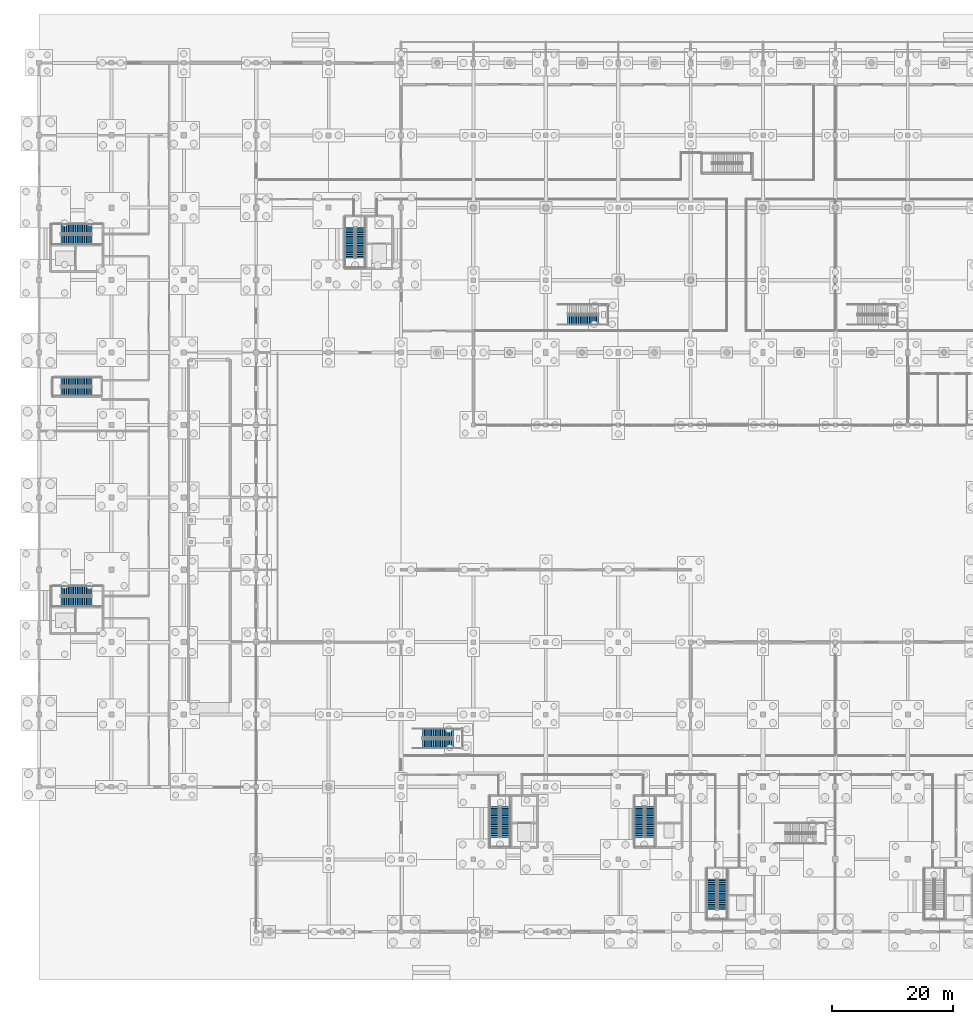
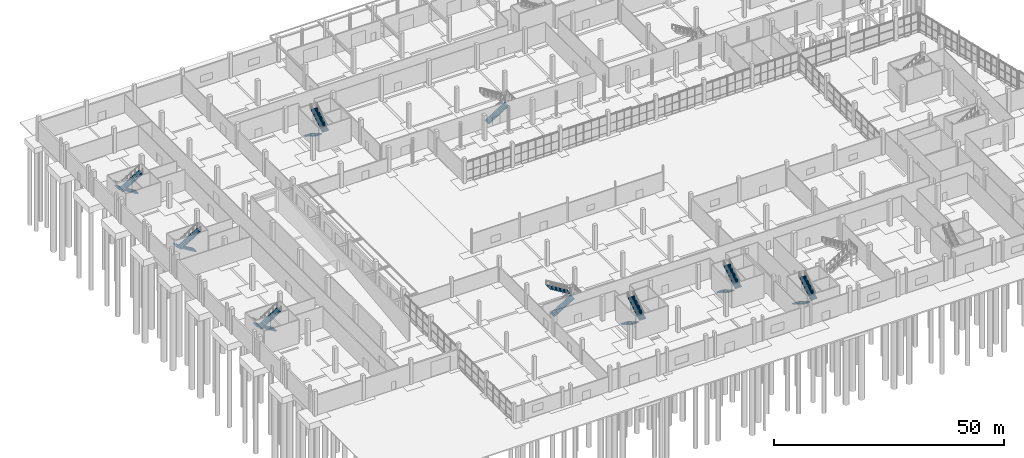
# One storey, part 97 of 117: 17 stair flights, 9 elements without a shape of their own.
"""IFC4 building model written with IfcOpenShell, lengths in metres."""

from ifc_helpers import new_model, si_unit, direction, frame, origin, place, context, subcontext, project, spatial, polyline, outline, extrude, material, layer, layer_set, type_object, element, aggregate, save


model = new_model("IFC4")

# Units and contexts
model_context = context("Model", 3, precision=1e-05, world=origin(), true_north=direction((0.0, 1.0)))
body_context = subcontext(model_context, "Body", "Model", "MODEL_VIEW")
ifc_project = project(units=[si_unit("LENGTHUNIT", "METRE"), si_unit("AREAUNIT", "SQUARE_METRE"), si_unit("VOLUMEUNIT", "CUBIC_METRE"), si_unit("PLANEANGLEUNIT", "RADIAN"), si_unit("MASSUNIT", "GRAM", prefix="KILO")], contexts=[model_context])

# Site, building, storey
site_placement = place(None, origin())
site = spatial("IfcSite", under=ifc_project, at=site_placement, CompositionType="ELEMENT")
building_placement = place(site_placement, origin())
building = spatial("IfcBuilding", under=site, at=building_placement, Name="Kamomehara Wholesale Market", CompositionType="ELEMENT")
storey_placement = place(building_placement, origin())
storey = spatial("IfcBuildingStorey", under=building, at=storey_placement, Name="L00", CompositionType="ELEMENT", Elevation=0.0)

# Stair, stair flights
ifc_material_1 = material(Name="Concrete Fc36 (C35/45)", Category="concrete")
stair_type_1 = type_object("IfcStairType", Name="STR-DL-02", PredefinedType="HALF_TURN_STAIR", material=ifc_material_1)
stair_1_placement = place(storey_placement, origin())
stair_1 = element("IfcStair", 1, at=stair_1_placement, inside=storey, type_object=stair_type_1, Name="L00 Core exit stair ST-01", PredefinedType="HALF_TURN_STAIR")
ifc_material_2 = material(Name="Concrete Fc36 (C35/45)", Category="concrete")
ifc_layer_1 = layer(ifc_material_2, 0.199951171875)
ifc_layer_set_1 = layer_set([ifc_layer_1], Name="Concrete Fc36 (C35/45)")
stair_flight_type_1 = type_object("IfcStairFlightType", Name="SFL-01", PredefinedType="STRAIGHT", material=ifc_layer_set_1)
stair_flight_1_placement = place(storey_placement, frame((51.5, 128.75, 0.0), z_axis=(0.0, 0.0, 1.0), x_axis=(0.0, -1.0, 0.0)))
stair_flight_1 = element("IfcStairFlight", 2, at=stair_flight_1_placement, type_object=stair_flight_type_1, Name="ST-01 flight 1", NumberOfRisers=18, NumberOfTreads=17, PredefinedType="STRAIGHT", RiserHeight=0.183333333, TreadLength=0.3, context=body_context, shape_type="SweptSolid", body=[
    extrude(outline(polyline([(0.0, 0.0), (0.0, 0.183349609375), (0.300048828125, 0.183349609375), (0.300048828125, 0.36669921875), (0.60009765625, 0.36669921875), (0.60009765625, 0.550048828125), (0.89990234375, 0.550048828125), (0.89990234375, 0.7333984375), (1.199951171875, 0.7333984375), (1.199951171875, 0.916748046875), (1.5, 0.916748046875), (1.5, 1.10009765625), (1.800048828125, 1.10009765625), (1.800048828125, 1.283447265625), (2.10009765625, 1.283447265625), (2.10009765625, 1.466552734375), (2.39990234375, 1.466552734375), (2.39990234375, 1.64990234375), (2.699951171875, 1.64990234375), (2.699951171875, 1.833251953125), (3.0, 1.833251953125), (3.0, 2.0166015625), (3.300048828125, 2.0166015625), (3.300048828125, 2.199951171875), (3.60009765625, 2.199951171875), (3.60009765625, 2.38330078125), (3.89990234375, 2.38330078125), (3.89990234375, 2.566650390625), (4.199951171875, 2.566650390625), (4.199951171875, 2.75), (4.5, 2.75), (4.5, 2.933349609375), (4.800048828125, 2.933349609375), (4.800048828125, 3.11669921875), (5.10009765625, 3.11669921875), (5.10009765625, 3.300048828125), (5.10009765625, 2.88232421875), (0.383544921875, 0.0), (0.0, 0.0)])), frame((0.0, 0.800048828125, 0.0), z_axis=(0.0, -1.0, 0.0), x_axis=(1.0, 0.0, 0.0)), (0.0, 0.0, 1.0), 1.60009765625),
])
stair_flight_2_placement = place(storey_placement, frame((53.300048828125, 123.64990234375, 3.300048828125), z_axis=(0.0, 0.0, 1.0), x_axis=(0.0, 1.0, 0.0)))
stair_flight_2 = element("IfcStairFlight", 3, at=stair_flight_2_placement, type_object=stair_flight_type_1, Name="ST-01 flight 2", NumberOfRisers=18, NumberOfTreads=17, PredefinedType="STRAIGHT", RiserHeight=0.183333333, TreadLength=0.3, context=body_context, shape_type="SweptSolid", body=[
    extrude(outline(polyline([(0.0, 0.0), (0.0, 0.183349609375), (0.300048828125, 0.183349609375), (0.300048828125, 0.36669921875), (0.60009765625, 0.36669921875), (0.60009765625, 0.550048828125), (0.89990234375, 0.550048828125), (0.89990234375, 0.7333984375), (1.199951171875, 0.7333984375), (1.199951171875, 0.916748046875), (1.5, 0.916748046875), (1.5, 1.10009765625), (1.800048828125, 1.10009765625), (1.800048828125, 1.283447265625), (2.10009765625, 1.283447265625), (2.10009765625, 1.466552734375), (2.39990234375, 1.466552734375), (2.39990234375, 1.64990234375), (2.699951171875, 1.64990234375), (2.699951171875, 1.833251953125), (3.0, 1.833251953125), (3.0, 2.0166015625), (3.300048828125, 2.0166015625), (3.300048828125, 2.199951171875), (3.60009765625, 2.199951171875), (3.60009765625, 2.38330078125), (3.89990234375, 2.38330078125), (3.89990234375, 2.566650390625), (4.199951171875, 2.566650390625), (4.199951171875, 2.75), (4.5, 2.75), (4.5, 2.933349609375), (4.800048828125, 2.933349609375), (4.800048828125, 3.11669921875), (5.10009765625, 3.11669921875), (5.10009765625, 3.300048828125), (5.10009765625, 2.88232421875), (0.383544921875, 0.0), (0.0, 0.0)])), frame((0.0, 0.800048828125, 0.0), z_axis=(0.0, -1.0, 0.0), x_axis=(1.0, 0.0, 0.0)), (0.0, 0.0, 1.0), 1.60009765625),
])
aggregate(stair_1, [stair_flight_1, stair_flight_2])

stair_2_placement = place(storey_placement, origin())
stair_2 = element("IfcStair", 4, at=stair_2_placement, inside=storey, type_object=stair_type_1, Name="L00 Core exit stair ST-03", PredefinedType="HALF_TURN_STAIR")
stair_flight_3_placement = place(storey_placement, frame((8.75, 68.5, 0.0), z_axis=(0.0, 0.0, 1.0), x_axis=(-1.0, 0.0, 0.0)))
stair_flight_3 = element("IfcStairFlight", 5, at=stair_flight_3_placement, type_object=stair_flight_type_1, Name="ST-03 flight 1", NumberOfRisers=18, NumberOfTreads=17, PredefinedType="STRAIGHT", RiserHeight=0.183333333, TreadLength=0.3, context=body_context, shape_type="SweptSolid", body=[
    extrude(outline(polyline([(0.0, 0.0), (0.0, 0.183349609375), (0.300048828125, 0.183349609375), (0.300048828125, 0.36669921875), (0.60009765625, 0.36669921875), (0.60009765625, 0.550048828125), (0.89990234375, 0.550048828125), (0.89990234375, 0.7333984375), (1.199951171875, 0.7333984375), (1.199951171875, 0.916748046875), (1.5, 0.916748046875), (1.5, 1.10009765625), (1.800048828125, 1.10009765625), (1.800048828125, 1.283447265625), (2.10009765625, 1.283447265625), (2.10009765625, 1.466552734375), (2.39990234375, 1.466552734375), (2.39990234375, 1.64990234375), (2.699951171875, 1.64990234375), (2.699951171875, 1.833251953125), (3.0, 1.833251953125), (3.0, 2.0166015625), (3.300048828125, 2.0166015625), (3.300048828125, 2.199951171875), (3.60009765625, 2.199951171875), (3.60009765625, 2.38330078125), (3.89990234375, 2.38330078125), (3.89990234375, 2.566650390625), (4.199951171875, 2.566650390625), (4.199951171875, 2.75), (4.5, 2.75), (4.5, 2.933349609375), (4.800048828125, 2.933349609375), (4.800048828125, 3.11669921875), (5.10009765625, 3.11669921875), (5.10009765625, 3.300048828125), (5.10009765625, 2.88232421875), (0.383544921875, 0.0), (0.0, 0.0)])), frame((0.0, 0.800048828125, 0.0), z_axis=(0.0, -1.0, 0.0), x_axis=(1.0, 0.0, 0.0)), (0.0, 0.0, 1.0), 1.60009765625),
])
stair_flight_4_placement = place(storey_placement, frame((3.64990234375, 66.699951171875, 3.300048828125), z_axis=(0.0, 0.0, 1.0), x_axis=(1.0, 0.0, 0.0)))
stair_flight_4 = element("IfcStairFlight", 6, at=stair_flight_4_placement, type_object=stair_flight_type_1, Name="ST-03 flight 2", NumberOfRisers=18, NumberOfTreads=17, PredefinedType="STRAIGHT", RiserHeight=0.183333333, TreadLength=0.3, context=body_context, shape_type="SweptSolid", body=[
    extrude(outline(polyline([(0.0, 0.0), (0.0, 0.183349609375), (0.300048828125, 0.183349609375), (0.300048828125, 0.36669921875), (0.60009765625, 0.36669921875), (0.60009765625, 0.550048828125), (0.89990234375, 0.550048828125), (0.89990234375, 0.7333984375), (1.199951171875, 0.7333984375), (1.199951171875, 0.916748046875), (1.5, 0.916748046875), (1.5, 1.10009765625), (1.800048828125, 1.10009765625), (1.800048828125, 1.283447265625), (2.10009765625, 1.283447265625), (2.10009765625, 1.466552734375), (2.39990234375, 1.466552734375), (2.39990234375, 1.64990234375), (2.699951171875, 1.64990234375), (2.699951171875, 1.833251953125), (3.0, 1.833251953125), (3.0, 2.0166015625), (3.300048828125, 2.0166015625), (3.300048828125, 2.199951171875), (3.60009765625, 2.199951171875), (3.60009765625, 2.38330078125), (3.89990234375, 2.38330078125), (3.89990234375, 2.566650390625), (4.199951171875, 2.566650390625), (4.199951171875, 2.75), (4.5, 2.75), (4.5, 2.933349609375), (4.800048828125, 2.933349609375), (4.800048828125, 3.11669921875), (5.10009765625, 3.11669921875), (5.10009765625, 3.300048828125), (5.10009765625, 2.88232421875), (0.383544921875, 0.0), (0.0, 0.0)])), frame((0.0, 0.800048828125, 0.0), z_axis=(0.0, -1.0, 0.0), x_axis=(1.0, 0.0, 0.0)), (0.0, 0.0, 1.0), 1.60009765625),
])
aggregate(stair_2, [stair_flight_3, stair_flight_4])

stair_3_placement = place(storey_placement, origin())
stair_3 = element("IfcStair", 7, at=stair_3_placement, inside=storey, type_object=stair_type_1, Name="L00 Core exit stair ST-04", PredefinedType="HALF_TURN_STAIR")
stair_flight_5_placement = place(storey_placement, frame((8.75, 128.5, 0.0), z_axis=(0.0, 0.0, 1.0), x_axis=(-1.0, 0.0, 0.0)))
stair_flight_5 = element("IfcStairFlight", 8, at=stair_flight_5_placement, type_object=stair_flight_type_1, Name="ST-04 flight 1", NumberOfRisers=18, NumberOfTreads=17, PredefinedType="STRAIGHT", RiserHeight=0.183333333, TreadLength=0.3, context=body_context, shape_type="SweptSolid", body=[
    extrude(outline(polyline([(0.0, 0.0), (0.0, 0.183349609375), (0.300048828125, 0.183349609375), (0.300048828125, 0.36669921875), (0.60009765625, 0.36669921875), (0.60009765625, 0.550048828125), (0.89990234375, 0.550048828125), (0.89990234375, 0.7333984375), (1.199951171875, 0.7333984375), (1.199951171875, 0.916748046875), (1.5, 0.916748046875), (1.5, 1.10009765625), (1.800048828125, 1.10009765625), (1.800048828125, 1.283447265625), (2.10009765625, 1.283447265625), (2.10009765625, 1.466552734375), (2.39990234375, 1.466552734375), (2.39990234375, 1.64990234375), (2.699951171875, 1.64990234375), (2.699951171875, 1.833251953125), (3.0, 1.833251953125), (3.0, 2.0166015625), (3.300048828125, 2.0166015625), (3.300048828125, 2.199951171875), (3.60009765625, 2.199951171875), (3.60009765625, 2.38330078125), (3.89990234375, 2.38330078125), (3.89990234375, 2.566650390625), (4.199951171875, 2.566650390625), (4.199951171875, 2.75), (4.5, 2.75), (4.5, 2.933349609375), (4.800048828125, 2.933349609375), (4.800048828125, 3.11669921875), (5.10009765625, 3.11669921875), (5.10009765625, 3.300048828125), (5.10009765625, 2.88232421875), (0.383544921875, 0.0), (0.0, 0.0)])), frame((0.0, 0.800048828125, 0.0), z_axis=(0.0, -1.0, 0.0), x_axis=(1.0, 0.0, 0.0)), (0.0, 0.0, 1.0), 1.60009765625),
])
stair_flight_6_placement = place(storey_placement, frame((3.64990234375, 126.699951171875, 3.300048828125), z_axis=(0.0, 0.0, 1.0), x_axis=(1.0, 0.0, 0.0)))
stair_flight_6 = element("IfcStairFlight", 9, at=stair_flight_6_placement, type_object=stair_flight_type_1, Name="ST-04 flight 2", NumberOfRisers=18, NumberOfTreads=17, PredefinedType="STRAIGHT", RiserHeight=0.183333333, TreadLength=0.3, context=body_context, shape_type="SweptSolid", body=[
    extrude(outline(polyline([(0.0, 0.0), (0.0, 0.183349609375), (0.300048828125, 0.183349609375), (0.300048828125, 0.36669921875), (0.60009765625, 0.36669921875), (0.60009765625, 0.550048828125), (0.89990234375, 0.550048828125), (0.89990234375, 0.7333984375), (1.199951171875, 0.7333984375), (1.199951171875, 0.916748046875), (1.5, 0.916748046875), (1.5, 1.10009765625), (1.800048828125, 1.10009765625), (1.800048828125, 1.283447265625), (2.10009765625, 1.283447265625), (2.10009765625, 1.466552734375), (2.39990234375, 1.466552734375), (2.39990234375, 1.64990234375), (2.699951171875, 1.64990234375), (2.699951171875, 1.833251953125), (3.0, 1.833251953125), (3.0, 2.0166015625), (3.300048828125, 2.0166015625), (3.300048828125, 2.199951171875), (3.60009765625, 2.199951171875), (3.60009765625, 2.38330078125), (3.89990234375, 2.38330078125), (3.89990234375, 2.566650390625), (4.199951171875, 2.566650390625), (4.199951171875, 2.75), (4.5, 2.75), (4.5, 2.933349609375), (4.800048828125, 2.933349609375), (4.800048828125, 3.11669921875), (5.10009765625, 3.11669921875), (5.10009765625, 3.300048828125), (5.10009765625, 2.88232421875), (0.383544921875, 0.0), (0.0, 0.0)])), frame((0.0, 0.800048828125, 0.0), z_axis=(0.0, -1.0, 0.0), x_axis=(1.0, 0.0, 0.0)), (0.0, 0.0, 1.0), 1.60009765625),
])
aggregate(stair_3, [stair_flight_5, stair_flight_6])

stair_4_placement = place(storey_placement, origin())
stair_4 = element("IfcStair", 10, at=stair_4_placement, inside=storey, type_object=stair_type_1, Name="L00 Core exit stair ST-05", PredefinedType="HALF_TURN_STAIR")
stair_flight_7_placement = place(storey_placement, frame((75.5, 32.75, 0.0), z_axis=(0.0, 0.0, 1.0), x_axis=(0.0, -1.0, 0.0)))
stair_flight_7 = element("IfcStairFlight", 11, at=stair_flight_7_placement, type_object=stair_flight_type_1, Name="ST-05 flight 1", NumberOfRisers=18, NumberOfTreads=17, PredefinedType="STRAIGHT", RiserHeight=0.183333333, TreadLength=0.3, context=body_context, shape_type="SweptSolid", body=[
    extrude(outline(polyline([(0.0, 0.0), (0.0, 0.183349609375), (0.300048828125, 0.183349609375), (0.300048828125, 0.36669921875), (0.60009765625, 0.36669921875), (0.60009765625, 0.550048828125), (0.89990234375, 0.550048828125), (0.89990234375, 0.7333984375), (1.199951171875, 0.7333984375), (1.199951171875, 0.916748046875), (1.5, 0.916748046875), (1.5, 1.10009765625), (1.800048828125, 1.10009765625), (1.800048828125, 1.283447265625), (2.10009765625, 1.283447265625), (2.10009765625, 1.466552734375), (2.39990234375, 1.466552734375), (2.39990234375, 1.64990234375), (2.699951171875, 1.64990234375), (2.699951171875, 1.833251953125), (3.0, 1.833251953125), (3.0, 2.0166015625), (3.300048828125, 2.0166015625), (3.300048828125, 2.199951171875), (3.60009765625, 2.199951171875), (3.60009765625, 2.38330078125), (3.89990234375, 2.38330078125), (3.89990234375, 2.566650390625), (4.199951171875, 2.566650390625), (4.199951171875, 2.75), (4.5, 2.75), (4.5, 2.933349609375), (4.800048828125, 2.933349609375), (4.800048828125, 3.11669921875), (5.10009765625, 3.11669921875), (5.10009765625, 3.300048828125), (5.10009765625, 2.88232421875), (0.383544921875, 0.0), (0.0, 0.0)])), frame((0.0, 0.800048828125, 0.0), z_axis=(0.0, -1.0, 0.0), x_axis=(1.0, 0.0, 0.0)), (0.0, 0.0, 1.0), 1.60009765625),
])
stair_flight_8_placement = place(storey_placement, frame((77.300048828125, 27.64990234375, 3.300048828125), z_axis=(0.0, 0.0, 1.0), x_axis=(0.0, 1.0, 0.0)))
stair_flight_8 = element("IfcStairFlight", 12, at=stair_flight_8_placement, type_object=stair_flight_type_1, Name="ST-05 flight 2", NumberOfRisers=18, NumberOfTreads=17, PredefinedType="STRAIGHT", RiserHeight=0.183333333, TreadLength=0.3, context=body_context, shape_type="SweptSolid", body=[
    extrude(outline(polyline([(0.0, 0.0), (0.0, 0.183349609375), (0.300048828125, 0.183349609375), (0.300048828125, 0.36669921875), (0.60009765625, 0.36669921875), (0.60009765625, 0.550048828125), (0.89990234375, 0.550048828125), (0.89990234375, 0.7333984375), (1.199951171875, 0.7333984375), (1.199951171875, 0.916748046875), (1.5, 0.916748046875), (1.5, 1.10009765625), (1.800048828125, 1.10009765625), (1.800048828125, 1.283447265625), (2.10009765625, 1.283447265625), (2.10009765625, 1.466552734375), (2.39990234375, 1.466552734375), (2.39990234375, 1.64990234375), (2.699951171875, 1.64990234375), (2.699951171875, 1.833251953125), (3.0, 1.833251953125), (3.0, 2.0166015625), (3.300048828125, 2.0166015625), (3.300048828125, 2.199951171875), (3.60009765625, 2.199951171875), (3.60009765625, 2.38330078125), (3.89990234375, 2.38330078125), (3.89990234375, 2.566650390625), (4.199951171875, 2.566650390625), (4.199951171875, 2.75), (4.5, 2.75), (4.5, 2.933349609375), (4.800048828125, 2.933349609375), (4.800048828125, 3.11669921875), (5.10009765625, 3.11669921875), (5.10009765625, 3.300048828125), (5.10009765625, 2.88232421875), (0.383544921875, 0.0), (0.0, 0.0)])), frame((0.0, 0.800048828125, 0.0), z_axis=(0.0, -1.0, 0.0), x_axis=(1.0, 0.0, 0.0)), (0.0, 0.0, 1.0), 1.60009765625),
])
aggregate(stair_4, [stair_flight_7, stair_flight_8])

stair_5_placement = place(storey_placement, origin())
stair_5 = element("IfcStair", 13, at=stair_5_placement, inside=storey, type_object=stair_type_1, Name="L00 Core exit stair ST-06", PredefinedType="HALF_TURN_STAIR")
stair_flight_9_placement = place(storey_placement, frame((99.5, 32.75, 0.0), z_axis=(0.0, 0.0, 1.0), x_axis=(0.0, -1.0, 0.0)))
stair_flight_9 = element("IfcStairFlight", 14, at=stair_flight_9_placement, type_object=stair_flight_type_1, Name="ST-06 flight 1", NumberOfRisers=18, NumberOfTreads=17, PredefinedType="STRAIGHT", RiserHeight=0.183333333, TreadLength=0.3, context=body_context, shape_type="SweptSolid", body=[
    extrude(outline(polyline([(0.0, 0.0), (0.0, 0.183349609375), (0.300048828125, 0.183349609375), (0.300048828125, 0.36669921875), (0.60009765625, 0.36669921875), (0.60009765625, 0.550048828125), (0.89990234375, 0.550048828125), (0.89990234375, 0.7333984375), (1.199951171875, 0.7333984375), (1.199951171875, 0.916748046875), (1.5, 0.916748046875), (1.5, 1.10009765625), (1.800048828125, 1.10009765625), (1.800048828125, 1.283447265625), (2.10009765625, 1.283447265625), (2.10009765625, 1.466552734375), (2.39990234375, 1.466552734375), (2.39990234375, 1.64990234375), (2.699951171875, 1.64990234375), (2.699951171875, 1.833251953125), (3.0, 1.833251953125), (3.0, 2.0166015625), (3.300048828125, 2.0166015625), (3.300048828125, 2.199951171875), (3.60009765625, 2.199951171875), (3.60009765625, 2.38330078125), (3.89990234375, 2.38330078125), (3.89990234375, 2.566650390625), (4.199951171875, 2.566650390625), (4.199951171875, 2.75), (4.5, 2.75), (4.5, 2.933349609375), (4.800048828125, 2.933349609375), (4.800048828125, 3.11669921875), (5.10009765625, 3.11669921875), (5.10009765625, 3.300048828125), (5.10009765625, 2.88232421875), (0.383544921875, 0.0), (0.0, 0.0)])), frame((0.0, 0.800048828125, 0.0), z_axis=(0.0, -1.0, 0.0), x_axis=(1.0, 0.0, 0.0)), (0.0, 0.0, 1.0), 1.60009765625),
])
stair_flight_10_placement = place(storey_placement, frame((101.300048828125, 27.64990234375, 3.300048828125), z_axis=(0.0, 0.0, 1.0), x_axis=(0.0, 1.0, 0.0)))
stair_flight_10 = element("IfcStairFlight", 15, at=stair_flight_10_placement, type_object=stair_flight_type_1, Name="ST-06 flight 2", NumberOfRisers=18, NumberOfTreads=17, PredefinedType="STRAIGHT", RiserHeight=0.183333333, TreadLength=0.3, context=body_context, shape_type="SweptSolid", body=[
    extrude(outline(polyline([(0.0, 0.0), (0.0, 0.183349609375), (0.300048828125, 0.183349609375), (0.300048828125, 0.36669921875), (0.60009765625, 0.36669921875), (0.60009765625, 0.550048828125), (0.89990234375, 0.550048828125), (0.89990234375, 0.7333984375), (1.199951171875, 0.7333984375), (1.199951171875, 0.916748046875), (1.5, 0.916748046875), (1.5, 1.10009765625), (1.800048828125, 1.10009765625), (1.800048828125, 1.283447265625), (2.10009765625, 1.283447265625), (2.10009765625, 1.466552734375), (2.39990234375, 1.466552734375), (2.39990234375, 1.64990234375), (2.699951171875, 1.64990234375), (2.699951171875, 1.833251953125), (3.0, 1.833251953125), (3.0, 2.0166015625), (3.300048828125, 2.0166015625), (3.300048828125, 2.199951171875), (3.60009765625, 2.199951171875), (3.60009765625, 2.38330078125), (3.89990234375, 2.38330078125), (3.89990234375, 2.566650390625), (4.199951171875, 2.566650390625), (4.199951171875, 2.75), (4.5, 2.75), (4.5, 2.933349609375), (4.800048828125, 2.933349609375), (4.800048828125, 3.11669921875), (5.10009765625, 3.11669921875), (5.10009765625, 3.300048828125), (5.10009765625, 2.88232421875), (0.383544921875, 0.0), (0.0, 0.0)])), frame((0.0, 0.800048828125, 0.0), z_axis=(0.0, -1.0, 0.0), x_axis=(1.0, 0.0, 0.0)), (0.0, 0.0, 1.0), 1.60009765625),
])
aggregate(stair_5, [stair_flight_9, stair_flight_10])

stair_6_placement = place(storey_placement, origin())
stair_6 = element("IfcStair", 16, at=stair_6_placement, inside=storey, type_object=stair_type_1, Name="L00 Core exit stair ST-07", PredefinedType="HALF_TURN_STAIR")
stair_flight_11_placement = place(storey_placement, frame((111.5, 20.75, 0.0), z_axis=(0.0, 0.0, 1.0), x_axis=(0.0, -1.0, 0.0)))
stair_flight_11 = element("IfcStairFlight", 17, at=stair_flight_11_placement, type_object=stair_flight_type_1, Name="ST-07 flight 1", NumberOfRisers=18, NumberOfTreads=17, PredefinedType="STRAIGHT", RiserHeight=0.183333333, TreadLength=0.3, context=body_context, shape_type="SweptSolid", body=[
    extrude(outline(polyline([(0.0, 0.0), (0.0, 0.183349609375), (0.300048828125, 0.183349609375), (0.300048828125, 0.36669921875), (0.60009765625, 0.36669921875), (0.60009765625, 0.550048828125), (0.89990234375, 0.550048828125), (0.89990234375, 0.7333984375), (1.199951171875, 0.7333984375), (1.199951171875, 0.916748046875), (1.5, 0.916748046875), (1.5, 1.10009765625), (1.800048828125, 1.10009765625), (1.800048828125, 1.283447265625), (2.10009765625, 1.283447265625), (2.10009765625, 1.466552734375), (2.39990234375, 1.466552734375), (2.39990234375, 1.64990234375), (2.699951171875, 1.64990234375), (2.699951171875, 1.833251953125), (3.0, 1.833251953125), (3.0, 2.0166015625), (3.300048828125, 2.0166015625), (3.300048828125, 2.199951171875), (3.60009765625, 2.199951171875), (3.60009765625, 2.38330078125), (3.89990234375, 2.38330078125), (3.89990234375, 2.566650390625), (4.199951171875, 2.566650390625), (4.199951171875, 2.75), (4.5, 2.75), (4.5, 2.933349609375), (4.800048828125, 2.933349609375), (4.800048828125, 3.11669921875), (5.10009765625, 3.11669921875), (5.10009765625, 3.300048828125), (5.10009765625, 2.88232421875), (0.383544921875, 0.0), (0.0, 0.0)])), frame((0.0, 0.800048828125, 0.0), z_axis=(0.0, -1.0, 0.0), x_axis=(1.0, 0.0, 0.0)), (0.0, 0.0, 1.0), 1.60009765625),
])
stair_flight_12_placement = place(storey_placement, frame((113.300048828125, 15.64990234375, 3.300048828125), z_axis=(0.0, 0.0, 1.0), x_axis=(0.0, 1.0, 0.0)))
stair_flight_12 = element("IfcStairFlight", 18, at=stair_flight_12_placement, type_object=stair_flight_type_1, Name="ST-07 flight 2", NumberOfRisers=18, NumberOfTreads=17, PredefinedType="STRAIGHT", RiserHeight=0.183333333, TreadLength=0.3, context=body_context, shape_type="SweptSolid", body=[
    extrude(outline(polyline([(0.0, 0.0), (0.0, 0.183349609375), (0.300048828125, 0.183349609375), (0.300048828125, 0.36669921875), (0.60009765625, 0.36669921875), (0.60009765625, 0.550048828125), (0.89990234375, 0.550048828125), (0.89990234375, 0.7333984375), (1.199951171875, 0.7333984375), (1.199951171875, 0.916748046875), (1.5, 0.916748046875), (1.5, 1.10009765625), (1.800048828125, 1.10009765625), (1.800048828125, 1.283447265625), (2.10009765625, 1.283447265625), (2.10009765625, 1.466552734375), (2.39990234375, 1.466552734375), (2.39990234375, 1.64990234375), (2.699951171875, 1.64990234375), (2.699951171875, 1.833251953125), (3.0, 1.833251953125), (3.0, 2.0166015625), (3.300048828125, 2.0166015625), (3.300048828125, 2.199951171875), (3.60009765625, 2.199951171875), (3.60009765625, 2.38330078125), (3.89990234375, 2.38330078125), (3.89990234375, 2.566650390625), (4.199951171875, 2.566650390625), (4.199951171875, 2.75), (4.5, 2.75), (4.5, 2.933349609375), (4.800048828125, 2.933349609375), (4.800048828125, 3.11669921875), (5.10009765625, 3.11669921875), (5.10009765625, 3.300048828125), (5.10009765625, 2.88232421875), (0.383544921875, 0.0), (0.0, 0.0)])), frame((0.0, 0.800048828125, 0.0), z_axis=(0.0, -1.0, 0.0), x_axis=(1.0, 0.0, 0.0)), (0.0, 0.0, 1.0), 1.60009765625),
])
aggregate(stair_6, [stair_flight_11, stair_flight_12])

# Stair, stair flight
ifc_material_3 = material(Name="Concrete Fc36 (C35/45)", Category="concrete")
stair_type_2 = type_object("IfcStairType", Name="STR-DL-06", PredefinedType="HALF_TURN_STAIR", material=ifc_material_3)
stair_7_placement = place(storey_placement, origin())
stair_7 = element("IfcStair", 19, at=stair_7_placement, inside=storey, type_object=stair_type_2, Name="L00 Exit stair ST-11", PredefinedType="HALF_TURN_STAIR")
ifc_material_4 = material(Name="Concrete Fc36 (C35/45)", Category="concrete")
ifc_layer_2 = layer(ifc_material_4, 0.199951171875)
ifc_layer_set_2 = layer_set([ifc_layer_2], Name="Concrete Fc36 (C35/45)")
stair_flight_type_2 = type_object("IfcStairFlightType", Name="SFL-03", PredefinedType="STRAIGHT", material=ifc_layer_set_2)
stair_flight_13_placement = place(storey_placement, frame((87.6201171875, 113.360107421875, 0.0), z_axis=(0.0, 0.0, 1.0), x_axis=(1.0, 0.0, 0.0)))
stair_flight_13 = element("IfcStairFlight", 20, at=stair_flight_13_placement, type_object=stair_flight_type_2, Name="ST-11 flight 1", NumberOfRisers=18, NumberOfTreads=17, PredefinedType="STRAIGHT", RiserHeight=0.183333333, TreadLength=0.3, context=body_context, shape_type="SweptSolid", body=[
    extrude(outline(polyline([(0.0, 0.0), (0.0, 0.183349609375), (0.300048828125, 0.183349609375), (0.300048828125, 0.36669921875), (0.60009765625, 0.36669921875), (0.60009765625, 0.550048828125), (0.89990234375, 0.550048828125), (0.89990234375, 0.7333984375), (1.199951171875, 0.7333984375), (1.199951171875, 0.916748046875), (1.5, 0.916748046875), (1.5, 1.10009765625), (1.800048828125, 1.10009765625), (1.800048828125, 1.283447265625), (2.10009765625, 1.283447265625), (2.10009765625, 1.466552734375), (2.39990234375, 1.466552734375), (2.39990234375, 1.64990234375), (2.699951171875, 1.64990234375), (2.699951171875, 1.833251953125), (3.0, 1.833251953125), (3.0, 2.0166015625), (3.300048828125, 2.0166015625), (3.300048828125, 2.199951171875), (3.60009765625, 2.199951171875), (3.60009765625, 2.38330078125), (3.89990234375, 2.38330078125), (3.89990234375, 2.566650390625), (4.199951171875, 2.566650390625), (4.199951171875, 2.75), (4.5, 2.75), (4.5, 2.933349609375), (4.800048828125, 2.933349609375), (4.800048828125, 3.11669921875), (5.10009765625, 3.11669921875), (5.10009765625, 3.300048828125), (5.10009765625, 2.88232421875), (0.383544921875, 0.0), (0.0, 0.0)])), frame((0.0, 0.81005859375, 0.0), z_axis=(0.0, -1.0, 0.0), x_axis=(1.0, 0.0, 0.0)), (0.0, 0.0, 1.0), 1.6201171875),
])
aggregate(stair_7, [stair_flight_13])

# Stair, stair flights
stair_8_placement = place(storey_placement, origin())
stair_8 = element("IfcStair", 21, at=stair_8_placement, inside=storey, type_object=stair_type_1, Name="L00 Exit stair ST-15", PredefinedType="HALF_TURN_STAIR")
stair_flight_14_placement = place(storey_placement, frame((8.760009765625, 103.1298828125, 0.0), z_axis=(0.0, 0.0, 1.0), x_axis=(-1.0, 0.0, 0.0)))
stair_flight_14 = element("IfcStairFlight", 22, at=stair_flight_14_placement, type_object=stair_flight_type_2, Name="ST-15 flight 1", NumberOfRisers=18, NumberOfTreads=17, PredefinedType="STRAIGHT", RiserHeight=0.183333333, TreadLength=0.3, context=body_context, shape_type="SweptSolid", body=[
    extrude(outline(polyline([(0.0, 0.0), (0.0, 0.183349609375), (0.300048828125, 0.183349609375), (0.300048828125, 0.36669921875), (0.60009765625, 0.36669921875), (0.60009765625, 0.550048828125), (0.89990234375, 0.550048828125), (0.89990234375, 0.7333984375), (1.199951171875, 0.7333984375), (1.199951171875, 0.916748046875), (1.5, 0.916748046875), (1.5, 1.10009765625), (1.800048828125, 1.10009765625), (1.800048828125, 1.283447265625), (2.10009765625, 1.283447265625), (2.10009765625, 1.466552734375), (2.39990234375, 1.466552734375), (2.39990234375, 1.64990234375), (2.699951171875, 1.64990234375), (2.699951171875, 1.833251953125), (3.0, 1.833251953125), (3.0, 2.0166015625), (3.300048828125, 2.0166015625), (3.300048828125, 2.199951171875), (3.60009765625, 2.199951171875), (3.60009765625, 2.38330078125), (3.89990234375, 2.38330078125), (3.89990234375, 2.566650390625), (4.199951171875, 2.566650390625), (4.199951171875, 2.75), (4.5, 2.75), (4.5, 2.933349609375), (4.800048828125, 2.933349609375), (4.800048828125, 3.11669921875), (5.10009765625, 3.11669921875), (5.10009765625, 3.300048828125), (5.10009765625, 2.88232421875), (0.383544921875, 0.0), (0.0, 0.0)])), frame((0.0, 0.719970703125, 0.0), z_axis=(0.0, -1.0, 0.0), x_axis=(1.0, 0.0, 0.0)), (0.0, 0.0, 1.0), 1.43994140625),
])
stair_flight_15_placement = place(storey_placement, frame((3.659912109375, 101.489990234375, 3.300048828125), z_axis=(0.0, 0.0, 1.0), x_axis=(1.0, 0.0, 0.0)))
stair_flight_15 = element("IfcStairFlight", 23, at=stair_flight_15_placement, type_object=stair_flight_type_2, Name="ST-15 flight 2", NumberOfRisers=18, NumberOfTreads=17, PredefinedType="STRAIGHT", RiserHeight=0.183333333, TreadLength=0.3, context=body_context, shape_type="SweptSolid", body=[
    extrude(outline(polyline([(0.0, 0.0), (0.0, 0.183349609375), (0.300048828125, 0.183349609375), (0.300048828125, 0.36669921875), (0.60009765625, 0.36669921875), (0.60009765625, 0.550048828125), (0.89990234375, 0.550048828125), (0.89990234375, 0.7333984375), (1.199951171875, 0.7333984375), (1.199951171875, 0.916748046875), (1.5, 0.916748046875), (1.5, 1.10009765625), (1.800048828125, 1.10009765625), (1.800048828125, 1.283447265625), (2.10009765625, 1.283447265625), (2.10009765625, 1.466552734375), (2.39990234375, 1.466552734375), (2.39990234375, 1.64990234375), (2.699951171875, 1.64990234375), (2.699951171875, 1.833251953125), (3.0, 1.833251953125), (3.0, 2.0166015625), (3.300048828125, 2.0166015625), (3.300048828125, 2.199951171875), (3.60009765625, 2.199951171875), (3.60009765625, 2.38330078125), (3.89990234375, 2.38330078125), (3.89990234375, 2.566650390625), (4.199951171875, 2.566650390625), (4.199951171875, 2.75), (4.5, 2.75), (4.5, 2.933349609375), (4.800048828125, 2.933349609375), (4.800048828125, 3.11669921875), (5.10009765625, 3.11669921875), (5.10009765625, 3.300048828125), (5.10009765625, 2.88232421875), (0.383544921875, 0.0), (0.0, 0.0)])), frame((0.0, 0.719970703125, 0.0), z_axis=(0.0, -1.0, 0.0), x_axis=(1.0, 0.0, 0.0)), (0.0, 0.0, 1.0), 1.43994140625),
])
aggregate(stair_8, [stair_flight_14, stair_flight_15])

ifc_material_5 = material(Name="Concrete Fc36 (C35/45)", Category="concrete")
stair_type_3 = type_object("IfcStairType", Name="STR-DL-05", PredefinedType="HALF_TURN_STAIR", material=ifc_material_5)
stair_9_placement = place(storey_placement, origin())
stair_9 = element("IfcStair", 24, at=stair_9_placement, inside=storey, type_object=stair_type_3, Name="L00 Exit stair ST-16", PredefinedType="HALF_TURN_STAIR")
ifc_material_6 = material(Name="Concrete Fc36 (C35/45)", Category="concrete")
ifc_layer_3 = layer(ifc_material_6, 0.2099609375)
ifc_layer_set_3 = layer_set([ifc_layer_3], Name="Concrete Fc36 (C35/45)")
stair_flight_type_3 = type_object("IfcStairFlightType", Name="SFL-04", PredefinedType="STRAIGHT", material=ifc_layer_set_3)
stair_flight_16_placement = place(storey_placement, frame((63.574951171875, 43.137451171875, 0.0), z_axis=(0.0, 0.0, 1.0), x_axis=(1.0, 0.0, 0.0)))
stair_flight_16 = element("IfcStairFlight", 25, at=stair_flight_16_placement, type_object=stair_flight_type_3, Name="ST-16 flight 1", NumberOfRisers=18, NumberOfTreads=17, PredefinedType="STRAIGHT", RiserHeight=0.183333333, TreadLength=0.3, context=body_context, shape_type="SweptSolid", body=[
    extrude(outline(polyline([(0.0, 0.0), (0.0, 0.183349609375), (0.300048828125, 0.183349609375), (0.300048828125, 0.36669921875), (0.60009765625, 0.36669921875), (0.60009765625, 0.550048828125), (0.89990234375, 0.550048828125), (0.89990234375, 0.7333984375), (1.199951171875, 0.7333984375), (1.199951171875, 0.916748046875), (1.5, 0.916748046875), (1.5, 1.10009765625), (1.800048828125, 1.10009765625), (1.800048828125, 1.283447265625), (2.10009765625, 1.283447265625), (2.10009765625, 1.466552734375), (2.39990234375, 1.466552734375), (2.39990234375, 1.64990234375), (2.699951171875, 1.64990234375), (2.699951171875, 1.833251953125), (3.0, 1.833251953125), (3.0, 2.0166015625), (3.300048828125, 2.0166015625), (3.300048828125, 2.199951171875), (3.60009765625, 2.199951171875), (3.60009765625, 2.38330078125), (3.89990234375, 2.38330078125), (3.89990234375, 2.566650390625), (4.199951171875, 2.566650390625), (4.199951171875, 2.75), (4.5, 2.75), (4.5, 2.933349609375), (4.800048828125, 2.933349609375), (4.800048828125, 3.11669921875), (5.10009765625, 3.11669921875), (5.10009765625, 3.300048828125), (5.10009765625, 2.88232421875), (0.383544921875, 0.0), (0.0, 0.0)])), frame((0.0, 0.78759765625, 0.0), z_axis=(0.0, -1.0, 0.0), x_axis=(1.0, 0.0, 0.0)), (0.0, 0.0, 1.0), 1.574951171875),
])
stair_flight_17_placement = place(storey_placement, frame((68.675048828125, 44.91259765625, 3.300048828125), z_axis=(0.0, 0.0, 1.0), x_axis=(-1.0, 0.0, 0.0)))
stair_flight_17 = element("IfcStairFlight", 26, at=stair_flight_17_placement, type_object=stair_flight_type_3, Name="ST-16 flight 2", NumberOfRisers=18, NumberOfTreads=17, PredefinedType="STRAIGHT", RiserHeight=0.183333333, TreadLength=0.3, context=body_context, shape_type="SweptSolid", body=[
    extrude(outline(polyline([(0.0, 0.0), (0.0, 0.183349609375), (0.300048828125, 0.183349609375), (0.300048828125, 0.36669921875), (0.60009765625, 0.36669921875), (0.60009765625, 0.550048828125), (0.89990234375, 0.550048828125), (0.89990234375, 0.7333984375), (1.199951171875, 0.7333984375), (1.199951171875, 0.916748046875), (1.5, 0.916748046875), (1.5, 1.10009765625), (1.800048828125, 1.10009765625), (1.800048828125, 1.283447265625), (2.10009765625, 1.283447265625), (2.10009765625, 1.466552734375), (2.39990234375, 1.466552734375), (2.39990234375, 1.64990234375), (2.699951171875, 1.64990234375), (2.699951171875, 1.833251953125), (3.0, 1.833251953125), (3.0, 2.0166015625), (3.300048828125, 2.0166015625), (3.300048828125, 2.199951171875), (3.60009765625, 2.199951171875), (3.60009765625, 2.38330078125), (3.89990234375, 2.38330078125), (3.89990234375, 2.566650390625), (4.199951171875, 2.566650390625), (4.199951171875, 2.75), (4.5, 2.75), (4.5, 2.933349609375), (4.800048828125, 2.933349609375), (4.800048828125, 3.11669921875), (5.10009765625, 3.11669921875), (5.10009765625, 3.300048828125), (5.10009765625, 2.88232421875), (0.383544921875, 0.0), (0.0, 0.0)])), frame((0.0, 0.78759765625, 0.0), z_axis=(0.0, -1.0, 0.0), x_axis=(1.0, 0.0, 0.0)), (0.0, 0.0, 1.0), 1.574951171875),
])
aggregate(stair_9, [stair_flight_16, stair_flight_17])

save(model, "model.ifc")
